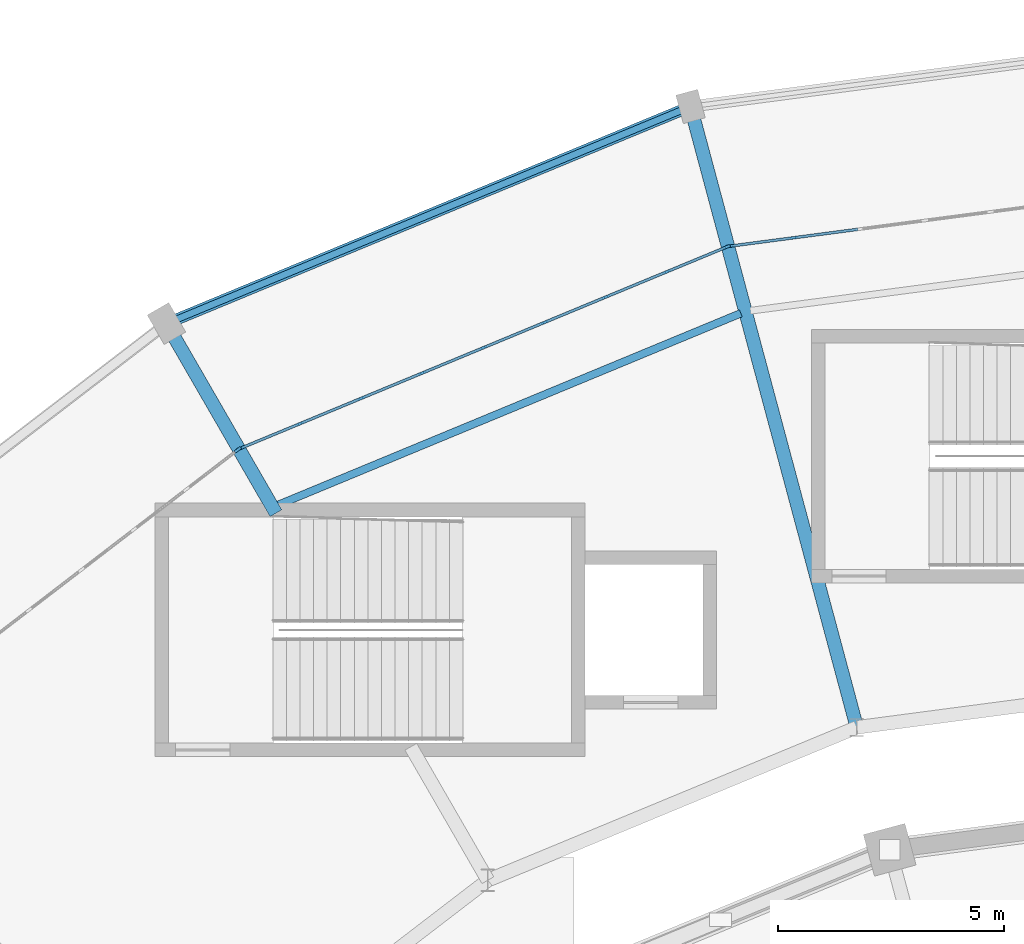
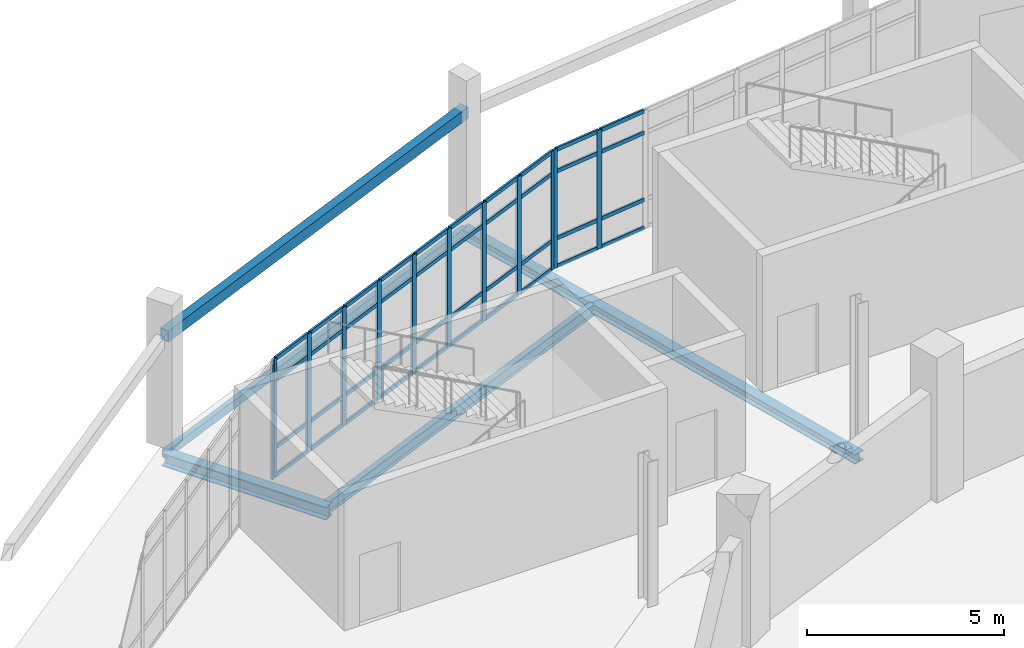
# One storey, part 57 of 122: 52 members, 5 beams, 3 elements without a shape of their own.
"""IFC4 building model written with IfcOpenShell, lengths in metres."""

from ifc_helpers import new_model, si_unit, direction, frame, origin, origin_2d, place, context, subcontext, project, spatial, rectangle, hollow_rectangle, i_section, extrude, material, layer, layer_set, material_profile, profile_set, type_object, element, aggregate, save


model = new_model("IFC4")

# Units and contexts
model_context = context("Model", 3, precision=1e-05, world=origin(), true_north=direction((0.0, 1.0)))
body_context = subcontext(model_context, "Body", "Model", "MODEL_VIEW")
ifc_project = project(units=[si_unit("LENGTHUNIT", "METRE"), si_unit("AREAUNIT", "SQUARE_METRE"), si_unit("VOLUMEUNIT", "CUBIC_METRE"), si_unit("PLANEANGLEUNIT", "RADIAN"), si_unit("MASSUNIT", "GRAM", prefix="KILO")], contexts=[model_context])

# Site, building, storey
site_placement = place(None, origin())
site = spatial("IfcSite", under=ifc_project, at=site_placement, CompositionType="ELEMENT")
building_placement = place(site_placement, origin())
building = spatial("IfcBuilding", under=site, at=building_placement, Name="Sohan Crest Arena", CompositionType="ELEMENT")
storey_placement = place(building_placement, origin())
storey = spatial("IfcBuildingStorey", under=building, at=storey_placement, Name="L00", CompositionType="ELEMENT", Elevation=0.0)

# Curtain wall, members
ifc_material_1 = material(Name="Thermally broken anodised aluminium", Category="aluminium")
ifc_layer = layer(ifc_material_1, 0.179931640625, Name="Thermally broken anodised aluminium")
ifc_layer_set = layer_set([ifc_layer], Name="Thermally broken anodised aluminium")
curtain_wall_type = type_object("IfcCurtainWallType", Name="ARC-CW01", PredefinedType="NOTDEFINED", material=ifc_layer_set)
curtain_wall_1_placement = place(storey_placement, origin())
curtain_wall_1 = element("IfcCurtainWall", 1, at=curtain_wall_1_placement, inside=storey, type_object=curtain_wall_type, Name="Unitised curtain wall CW-001", PredefinedType="NOTDEFINED")
ifc_material_profile_1 = material_profile(ifc_material_1, rectangle(XDim=0.06005859375, YDim=0.159912109375, at=origin_2d()), Name="ALU-MULL 60x160")
ifc_profile_set_1 = profile_set([ifc_material_profile_1], Name="Thermally broken anodised aluminium")
member_type_1 = type_object("IfcMemberType", Name="ARC-CW-ML01", PredefinedType="MULLION", material=ifc_profile_set_1)
member_1_placement = place(storey_placement, frame((87.8544921875, 121.4638671875, 0.0), z_axis=(0.0, 0.0, 1.0), x_axis=(0.13056731648, -0.991439446395, 0.0)))
member_1 = element("IfcMember", 2, at=member_1_placement, type_object=member_type_1, Name="CW-001 mullion 8", PredefinedType="MULLION", context=body_context, shape_type="SweptSolid", body=[
    extrude(rectangle(XDim=0.06005859375, YDim=0.159912109375, at=origin_2d()), origin(), (0.0, 0.0, 1.0), 3.679931640625),
])
member_2_placement = place(storey_placement, frame((86.434814453125, 121.27685546875, 0.0), z_axis=(0.0, 0.0, 1.0), x_axis=(0.13056731648, -0.991439446395, 0.0)))
member_2 = element("IfcMember", 3, at=member_2_placement, type_object=member_type_1, Name="CW-001 mullion 9", PredefinedType="MULLION", context=body_context, shape_type="SweptSolid", body=[
    extrude(rectangle(XDim=0.06005859375, YDim=0.159912109375, at=origin_2d()), origin(), (0.0, 0.0, 1.0), 3.679931640625),
])

curtain_wall_2_placement = place(storey_placement, origin())
curtain_wall_2 = element("IfcCurtainWall", 4, at=curtain_wall_2_placement, inside=storey, type_object=curtain_wall_type, Name="Unitised curtain wall CW-002", PredefinedType="NOTDEFINED")
member_3_placement = place(storey_placement, frame((86.377197265625, 121.261474609375, 0.0), z_axis=(0.0, 0.0, 1.0), x_axis=(0.38264128051, -0.923896991255, 0.0)))
member_3 = element("IfcMember", 5, at=member_3_placement, type_object=member_type_1, Name="CW-002 mullion 1", PredefinedType="MULLION", context=body_context, shape_type="SweptSolid", body=[
    extrude(rectangle(XDim=0.06005859375, YDim=0.159912109375, at=origin_2d()), origin(), (0.0, 0.0, 1.0), 3.679931640625),
])
member_4_placement = place(storey_placement, frame((85.054443359375, 120.713623046875, 0.0), z_axis=(0.0, 0.0, 1.0), x_axis=(0.38264128051, -0.923896991255, 0.0)))
member_4 = element("IfcMember", 6, at=member_4_placement, type_object=member_type_1, Name="CW-002 mullion 2", PredefinedType="MULLION", context=body_context, shape_type="SweptSolid", body=[
    extrude(rectangle(XDim=0.06005859375, YDim=0.159912109375, at=origin_2d()), origin(), (0.0, 0.0, 1.0), 3.679931640625),
])
member_5_placement = place(storey_placement, frame((83.703857421875, 120.154296875, 0.0), z_axis=(0.0, 0.0, 1.0), x_axis=(0.38264128051, -0.923896991255, 0.0)))
member_5 = element("IfcMember", 7, at=member_5_placement, type_object=member_type_1, Name="CW-002 mullion 3", PredefinedType="MULLION", context=body_context, shape_type="SweptSolid", body=[
    extrude(rectangle(XDim=0.06005859375, YDim=0.159912109375, at=origin_2d()), origin(), (0.0, 0.0, 1.0), 3.679931640625),
])
member_6_placement = place(storey_placement, frame((82.35302734375, 119.594970703125, 0.0), z_axis=(0.0, 0.0, 1.0), x_axis=(0.38264128051, -0.923896991255, 0.0)))
member_6 = element("IfcMember", 8, at=member_6_placement, type_object=member_type_1, Name="CW-002 mullion 4", PredefinedType="MULLION", context=body_context, shape_type="SweptSolid", body=[
    extrude(rectangle(XDim=0.06005859375, YDim=0.159912109375, at=origin_2d()), origin(), (0.0, 0.0, 1.0), 3.679931640625),
])
member_7_placement = place(storey_placement, frame((81.00244140625, 119.035400390625, 0.0), z_axis=(0.0, 0.0, 1.0), x_axis=(0.38264128051, -0.923896991255, 0.0)))
member_7 = element("IfcMember", 9, at=member_7_placement, type_object=member_type_1, Name="CW-002 mullion 5", PredefinedType="MULLION", context=body_context, shape_type="SweptSolid", body=[
    extrude(rectangle(XDim=0.06005859375, YDim=0.159912109375, at=origin_2d()), origin(), (0.0, 0.0, 1.0), 3.679931640625),
])
member_8_placement = place(storey_placement, frame((79.65185546875, 118.47607421875, 0.0), z_axis=(0.0, 0.0, 1.0), x_axis=(0.38264128051, -0.923896991255, 0.0)))
member_8 = element("IfcMember", 10, at=member_8_placement, type_object=member_type_1, Name="CW-002 mullion 6", PredefinedType="MULLION", context=body_context, shape_type="SweptSolid", body=[
    extrude(rectangle(XDim=0.06005859375, YDim=0.159912109375, at=origin_2d()), origin(), (0.0, 0.0, 1.0), 3.679931640625),
])
member_9_placement = place(storey_placement, frame((78.30126953125, 117.916748046875, 0.0), z_axis=(0.0, 0.0, 1.0), x_axis=(0.38264128051, -0.923896991255, 0.0)))
member_9 = element("IfcMember", 11, at=member_9_placement, type_object=member_type_1, Name="CW-002 mullion 7", PredefinedType="MULLION", context=body_context, shape_type="SweptSolid", body=[
    extrude(rectangle(XDim=0.06005859375, YDim=0.159912109375, at=origin_2d()), origin(), (0.0, 0.0, 1.0), 3.679931640625),
])
member_10_placement = place(storey_placement, frame((76.95068359375, 117.357421875, 0.0), z_axis=(0.0, 0.0, 1.0), x_axis=(0.38264128051, -0.923896991255, 0.0)))
member_10 = element("IfcMember", 12, at=member_10_placement, type_object=member_type_1, Name="CW-002 mullion 8", PredefinedType="MULLION", context=body_context, shape_type="SweptSolid", body=[
    extrude(rectangle(XDim=0.06005859375, YDim=0.159912109375, at=origin_2d()), origin(), (0.0, 0.0, 1.0), 3.679931640625),
])
member_11_placement = place(storey_placement, frame((75.627685546875, 116.8095703125, 0.0), z_axis=(0.0, 0.0, 1.0), x_axis=(0.38264128051, -0.923896991255, 0.0)))
member_11 = element("IfcMember", 13, at=member_11_placement, type_object=member_type_1, Name="CW-002 mullion 9", PredefinedType="MULLION", context=body_context, shape_type="SweptSolid", body=[
    extrude(rectangle(XDim=0.06005859375, YDim=0.159912109375, at=origin_2d()), origin(), (0.0, 0.0, 1.0), 3.679931640625),
])

# Curtain wall, member
curtain_wall_3_placement = place(storey_placement, origin())
curtain_wall_3 = element("IfcCurtainWall", 14, at=curtain_wall_3_placement, inside=storey, type_object=curtain_wall_type, Name="Unitised curtain wall CW-003", PredefinedType="NOTDEFINED")
member_12_placement = place(storey_placement, frame((75.576171875, 116.77978515625, 0.0), z_axis=(0.0, 0.0, 1.0), x_axis=(0.608801264741, -0.79332277167, 0.0)))
member_12 = element("IfcMember", 15, at=member_12_placement, type_object=member_type_1, Name="CW-003 mullion 1", PredefinedType="MULLION", context=body_context, shape_type="SweptSolid", body=[
    extrude(rectangle(XDim=0.06005859375, YDim=0.159912109375, at=origin_2d()), origin(), (0.0, 0.0, 1.0), 3.679931640625),
])
aggregate(curtain_wall_3, [member_12])

# Member
ifc_material_profile_2 = material_profile(ifc_material_1, rectangle(XDim=0.06005859375, YDim=0.1201171875, at=origin_2d()), Name="ALU-TRAN 60x120")
ifc_profile_set_2 = profile_set([ifc_material_profile_2], Name="Thermally broken anodised aluminium")
member_type_2 = type_object("IfcMemberType", Name="ARC-CW-TR01", PredefinedType="USERDEFINED", material=ifc_profile_set_2)
member_13_placement = place(storey_placement, frame((89.27392578125, 121.65087890625, 0.030029296875), z_axis=(-0.9914335368, -0.130612182083, 0.0), x_axis=(0.130612182083, -0.9914335368, 0.0)))
member_13 = element("IfcMember", 16, at=member_13_placement, type_object=member_type_2, Name="CW-001 transom 7.1", ObjectType="TRANSOM", PredefinedType="USERDEFINED", context=body_context, shape_type="SweptSolid", body=[
    extrude(rectangle(XDim=0.06005859375, YDim=0.1201171875, at=origin_2d()), origin(), (0.0, 0.0, 1.0), 1.40185546875),
])

member_14_placement = place(storey_placement, frame((89.27392578125, 121.65087890625, 0.89990234375), z_axis=(-0.9914335368, -0.130612182083, 0.0), x_axis=(0.130612182083, -0.9914335368, 0.0)))
member_14 = element("IfcMember", 17, at=member_14_placement, type_object=member_type_2, Name="CW-001 transom 7.2", ObjectType="TRANSOM", PredefinedType="USERDEFINED", context=body_context, shape_type="SweptSolid", body=[
    extrude(rectangle(XDim=0.06005859375, YDim=0.1201171875, at=origin_2d()), origin(), (0.0, 0.0, 1.0), 1.40185546875),
])

member_15_placement = place(storey_placement, frame((89.27392578125, 121.65087890625, 2.97998046875), z_axis=(-0.9914335368, -0.130612182083, 0.0), x_axis=(0.130612182083, -0.9914335368, 0.0)))
member_15 = element("IfcMember", 18, at=member_15_placement, type_object=member_type_2, Name="CW-001 transom 7.3", ObjectType="TRANSOM", PredefinedType="USERDEFINED", context=body_context, shape_type="SweptSolid", body=[
    extrude(rectangle(XDim=0.06005859375, YDim=0.1201171875, at=origin_2d()), origin(), (0.0, 0.0, 1.0), 1.40185546875),
])

member_16_placement = place(storey_placement, frame((89.27392578125, 121.65087890625, 3.64990234375), z_axis=(-0.9914335368, -0.130612182083, 0.0), x_axis=(0.130612182083, -0.9914335368, 0.0)))
member_16 = element("IfcMember", 19, at=member_16_placement, type_object=member_type_2, Name="CW-001 transom 7.4", ObjectType="TRANSOM", PredefinedType="USERDEFINED", context=body_context, shape_type="SweptSolid", body=[
    extrude(rectangle(XDim=0.06005859375, YDim=0.1201171875, at=origin_2d()), origin(), (0.0, 0.0, 1.0), 1.40185546875),
])

member_17_placement = place(storey_placement, frame((87.82470703125, 121.4599609375, 0.030029296875), z_axis=(-0.991431868961, -0.130624841468, 0.0), x_axis=(0.130624841468, -0.991431868961, 0.0)))
member_17 = element("IfcMember", 20, at=member_17_placement, type_object=member_type_2, Name="CW-001 transom 8.1", ObjectType="TRANSOM", PredefinedType="USERDEFINED", context=body_context, shape_type="SweptSolid", body=[
    extrude(rectangle(XDim=0.06005859375, YDim=0.1201171875, at=origin_2d()), origin(), (0.0, 0.0, 1.0), 1.371826171875),
])

member_18_placement = place(storey_placement, frame((87.82470703125, 121.4599609375, 0.89990234375), z_axis=(-0.991431868961, -0.130624841468, 0.0), x_axis=(0.130624841468, -0.991431868961, 0.0)))
member_18 = element("IfcMember", 21, at=member_18_placement, type_object=member_type_2, Name="CW-001 transom 8.2", ObjectType="TRANSOM", PredefinedType="USERDEFINED", context=body_context, shape_type="SweptSolid", body=[
    extrude(rectangle(XDim=0.06005859375, YDim=0.1201171875, at=origin_2d()), origin(), (0.0, 0.0, 1.0), 1.371826171875),
])

member_19_placement = place(storey_placement, frame((87.82470703125, 121.4599609375, 2.97998046875), z_axis=(-0.991431868961, -0.130624841468, 0.0), x_axis=(0.130624841468, -0.991431868961, 0.0)))
member_19 = element("IfcMember", 22, at=member_19_placement, type_object=member_type_2, Name="CW-001 transom 8.3", ObjectType="TRANSOM", PredefinedType="USERDEFINED", context=body_context, shape_type="SweptSolid", body=[
    extrude(rectangle(XDim=0.06005859375, YDim=0.1201171875, at=origin_2d()), origin(), (0.0, 0.0, 1.0), 1.371826171875),
])

member_20_placement = place(storey_placement, frame((87.82470703125, 121.4599609375, 3.64990234375), z_axis=(-0.991431868961, -0.130624841468, 0.0), x_axis=(0.130624841468, -0.991431868961, 0.0)))
member_20 = element("IfcMember", 23, at=member_20_placement, type_object=member_type_2, Name="CW-001 transom 8.4", ObjectType="TRANSOM", PredefinedType="USERDEFINED", context=body_context, shape_type="SweptSolid", body=[
    extrude(rectangle(XDim=0.06005859375, YDim=0.1201171875, at=origin_2d()), origin(), (0.0, 0.0, 1.0), 1.371826171875),
])

aggregate(curtain_wall_1, [member_1, member_2, member_13, member_14, member_15, member_16, member_17, member_18, member_19, member_20])

member_21_placement = place(storey_placement, frame((86.349609375, 121.25, 0.030029296875), z_axis=(-0.923917076656, -0.382592780202, 0.0), x_axis=(0.382592780202, -0.923917076656, 0.0)))
member_21 = element("IfcMember", 24, at=member_21_placement, type_object=member_type_2, Name="CW-002 transom 1.1", ObjectType="TRANSOM", PredefinedType="USERDEFINED", context=body_context, shape_type="SweptSolid", body=[
    extrude(rectangle(XDim=0.06005859375, YDim=0.1201171875, at=origin_2d()), origin(), (0.0, 0.0, 1.0), 1.3720703125),
])

member_22_placement = place(storey_placement, frame((86.349609375, 121.25, 0.89990234375), z_axis=(-0.923917076656, -0.382592780202, 0.0), x_axis=(0.382592780202, -0.923917076656, 0.0)))
member_22 = element("IfcMember", 25, at=member_22_placement, type_object=member_type_2, Name="CW-002 transom 1.2", ObjectType="TRANSOM", PredefinedType="USERDEFINED", context=body_context, shape_type="SweptSolid", body=[
    extrude(rectangle(XDim=0.06005859375, YDim=0.1201171875, at=origin_2d()), origin(), (0.0, 0.0, 1.0), 1.3720703125),
])

member_23_placement = place(storey_placement, frame((86.349609375, 121.25, 2.97998046875), z_axis=(-0.923917076656, -0.382592780202, 0.0), x_axis=(0.382592780202, -0.923917076656, 0.0)))
member_23 = element("IfcMember", 26, at=member_23_placement, type_object=member_type_2, Name="CW-002 transom 1.3", ObjectType="TRANSOM", PredefinedType="USERDEFINED", context=body_context, shape_type="SweptSolid", body=[
    extrude(rectangle(XDim=0.06005859375, YDim=0.1201171875, at=origin_2d()), origin(), (0.0, 0.0, 1.0), 1.3720703125),
])

member_24_placement = place(storey_placement, frame((86.349609375, 121.25, 3.64990234375), z_axis=(-0.923917076656, -0.382592780202, 0.0), x_axis=(0.382592780202, -0.923917076656, 0.0)))
member_24 = element("IfcMember", 27, at=member_24_placement, type_object=member_type_2, Name="CW-002 transom 1.4", ObjectType="TRANSOM", PredefinedType="USERDEFINED", context=body_context, shape_type="SweptSolid", body=[
    extrude(rectangle(XDim=0.06005859375, YDim=0.1201171875, at=origin_2d()), origin(), (0.0, 0.0, 1.0), 1.3720703125),
])

member_25_placement = place(storey_placement, frame((85.026611328125, 120.7021484375, 0.030029296875), z_axis=(-0.923904341671, -0.382623532262, 0.0), x_axis=(0.382623532262, -0.923904341671, 0.0)))
member_25 = element("IfcMember", 28, at=member_25_placement, type_object=member_type_2, Name="CW-002 transom 2.1", ObjectType="TRANSOM", PredefinedType="USERDEFINED", context=body_context, shape_type="SweptSolid", body=[
    extrude(rectangle(XDim=0.06005859375, YDim=0.1201171875, at=origin_2d()), origin(), (0.0, 0.0, 1.0), 1.40185546875),
])

member_26_placement = place(storey_placement, frame((85.026611328125, 120.7021484375, 0.89990234375), z_axis=(-0.923904341671, -0.382623532262, 0.0), x_axis=(0.382623532262, -0.923904341671, 0.0)))
member_26 = element("IfcMember", 29, at=member_26_placement, type_object=member_type_2, Name="CW-002 transom 2.2", ObjectType="TRANSOM", PredefinedType="USERDEFINED", context=body_context, shape_type="SweptSolid", body=[
    extrude(rectangle(XDim=0.06005859375, YDim=0.1201171875, at=origin_2d()), origin(), (0.0, 0.0, 1.0), 1.40185546875),
])

member_27_placement = place(storey_placement, frame((85.026611328125, 120.7021484375, 2.97998046875), z_axis=(-0.923904341671, -0.382623532262, 0.0), x_axis=(0.382623532262, -0.923904341671, 0.0)))
member_27 = element("IfcMember", 30, at=member_27_placement, type_object=member_type_2, Name="CW-002 transom 2.3", ObjectType="TRANSOM", PredefinedType="USERDEFINED", context=body_context, shape_type="SweptSolid", body=[
    extrude(rectangle(XDim=0.06005859375, YDim=0.1201171875, at=origin_2d()), origin(), (0.0, 0.0, 1.0), 1.40185546875),
])

member_28_placement = place(storey_placement, frame((85.026611328125, 120.7021484375, 3.64990234375), z_axis=(-0.923904341671, -0.382623532262, 0.0), x_axis=(0.382623532262, -0.923904341671, 0.0)))
member_28 = element("IfcMember", 31, at=member_28_placement, type_object=member_type_2, Name="CW-002 transom 2.4", ObjectType="TRANSOM", PredefinedType="USERDEFINED", context=body_context, shape_type="SweptSolid", body=[
    extrude(rectangle(XDim=0.06005859375, YDim=0.1201171875, at=origin_2d()), origin(), (0.0, 0.0, 1.0), 1.40185546875),
])

member_29_placement = place(storey_placement, frame((83.676025390625, 120.142822265625, 0.030029296875), z_axis=(-0.923904341671, -0.382623532262, 0.0), x_axis=(0.382623532262, -0.923904341671, 0.0)))
member_29 = element("IfcMember", 32, at=member_29_placement, type_object=member_type_2, Name="CW-002 transom 3.1", ObjectType="TRANSOM", PredefinedType="USERDEFINED", context=body_context, shape_type="SweptSolid", body=[
    extrude(rectangle(XDim=0.06005859375, YDim=0.1201171875, at=origin_2d()), origin(), (0.0, 0.0, 1.0), 1.40185546875),
])

member_30_placement = place(storey_placement, frame((83.676025390625, 120.142822265625, 0.89990234375), z_axis=(-0.923904341671, -0.382623532262, 0.0), x_axis=(0.382623532262, -0.923904341671, 0.0)))
member_30 = element("IfcMember", 33, at=member_30_placement, type_object=member_type_2, Name="CW-002 transom 3.2", ObjectType="TRANSOM", PredefinedType="USERDEFINED", context=body_context, shape_type="SweptSolid", body=[
    extrude(rectangle(XDim=0.06005859375, YDim=0.1201171875, at=origin_2d()), origin(), (0.0, 0.0, 1.0), 1.40185546875),
])

member_31_placement = place(storey_placement, frame((83.676025390625, 120.142822265625, 2.97998046875), z_axis=(-0.923904341671, -0.382623532262, 0.0), x_axis=(0.382623532262, -0.923904341671, 0.0)))
member_31 = element("IfcMember", 34, at=member_31_placement, type_object=member_type_2, Name="CW-002 transom 3.3", ObjectType="TRANSOM", PredefinedType="USERDEFINED", context=body_context, shape_type="SweptSolid", body=[
    extrude(rectangle(XDim=0.06005859375, YDim=0.1201171875, at=origin_2d()), origin(), (0.0, 0.0, 1.0), 1.40185546875),
])

member_32_placement = place(storey_placement, frame((83.676025390625, 120.142822265625, 3.64990234375), z_axis=(-0.923904341671, -0.382623532262, 0.0), x_axis=(0.382623532262, -0.923904341671, 0.0)))
member_32 = element("IfcMember", 35, at=member_32_placement, type_object=member_type_2, Name="CW-002 transom 3.4", ObjectType="TRANSOM", PredefinedType="USERDEFINED", context=body_context, shape_type="SweptSolid", body=[
    extrude(rectangle(XDim=0.06005859375, YDim=0.1201171875, at=origin_2d()), origin(), (0.0, 0.0, 1.0), 1.40185546875),
])

member_33_placement = place(storey_placement, frame((82.325439453125, 119.58349609375, 0.030029296875), z_axis=(-0.923842767906, -0.382772177918, 0.0), x_axis=(0.382772177918, -0.923842767906, 0.0)))
member_33 = element("IfcMember", 36, at=member_33_placement, type_object=member_type_2, Name="CW-002 transom 4.1", ObjectType="TRANSOM", PredefinedType="USERDEFINED", context=body_context, shape_type="SweptSolid", body=[
    extrude(rectangle(XDim=0.06005859375, YDim=0.1201171875, at=origin_2d()), origin(), (0.0, 0.0, 1.0), 1.40185546875),
])

member_34_placement = place(storey_placement, frame((82.325439453125, 119.58349609375, 0.89990234375), z_axis=(-0.923842767906, -0.382772177918, 0.0), x_axis=(0.382772177918, -0.923842767906, 0.0)))
member_34 = element("IfcMember", 37, at=member_34_placement, type_object=member_type_2, Name="CW-002 transom 4.2", ObjectType="TRANSOM", PredefinedType="USERDEFINED", context=body_context, shape_type="SweptSolid", body=[
    extrude(rectangle(XDim=0.06005859375, YDim=0.1201171875, at=origin_2d()), origin(), (0.0, 0.0, 1.0), 1.40185546875),
])

member_35_placement = place(storey_placement, frame((82.325439453125, 119.58349609375, 2.97998046875), z_axis=(-0.923842767906, -0.382772177918, 0.0), x_axis=(0.382772177918, -0.923842767906, 0.0)))
member_35 = element("IfcMember", 38, at=member_35_placement, type_object=member_type_2, Name="CW-002 transom 4.3", ObjectType="TRANSOM", PredefinedType="USERDEFINED", context=body_context, shape_type="SweptSolid", body=[
    extrude(rectangle(XDim=0.06005859375, YDim=0.1201171875, at=origin_2d()), origin(), (0.0, 0.0, 1.0), 1.40185546875),
])

member_36_placement = place(storey_placement, frame((82.325439453125, 119.58349609375, 3.64990234375), z_axis=(-0.923842767906, -0.382772177918, 0.0), x_axis=(0.382772177918, -0.923842767906, 0.0)))
member_36 = element("IfcMember", 39, at=member_36_placement, type_object=member_type_2, Name="CW-002 transom 4.4", ObjectType="TRANSOM", PredefinedType="USERDEFINED", context=body_context, shape_type="SweptSolid", body=[
    extrude(rectangle(XDim=0.06005859375, YDim=0.1201171875, at=origin_2d()), origin(), (0.0, 0.0, 1.0), 1.40185546875),
])

member_37_placement = place(storey_placement, frame((80.974853515625, 119.02392578125, 0.030029296875), z_axis=(-0.923904341671, -0.382623532262, 0.0), x_axis=(0.382623532262, -0.923904341671, 0.0)))
member_37 = element("IfcMember", 40, at=member_37_placement, type_object=member_type_2, Name="CW-002 transom 5.1", ObjectType="TRANSOM", PredefinedType="USERDEFINED", context=body_context, shape_type="SweptSolid", body=[
    extrude(rectangle(XDim=0.06005859375, YDim=0.1201171875, at=origin_2d()), origin(), (0.0, 0.0, 1.0), 1.40185546875),
])

member_38_placement = place(storey_placement, frame((80.974853515625, 119.02392578125, 0.89990234375), z_axis=(-0.923904341671, -0.382623532262, 0.0), x_axis=(0.382623532262, -0.923904341671, 0.0)))
member_38 = element("IfcMember", 41, at=member_38_placement, type_object=member_type_2, Name="CW-002 transom 5.2", ObjectType="TRANSOM", PredefinedType="USERDEFINED", context=body_context, shape_type="SweptSolid", body=[
    extrude(rectangle(XDim=0.06005859375, YDim=0.1201171875, at=origin_2d()), origin(), (0.0, 0.0, 1.0), 1.40185546875),
])

member_39_placement = place(storey_placement, frame((80.974853515625, 119.02392578125, 2.97998046875), z_axis=(-0.923904341671, -0.382623532262, 0.0), x_axis=(0.382623532262, -0.923904341671, 0.0)))
member_39 = element("IfcMember", 42, at=member_39_placement, type_object=member_type_2, Name="CW-002 transom 5.3", ObjectType="TRANSOM", PredefinedType="USERDEFINED", context=body_context, shape_type="SweptSolid", body=[
    extrude(rectangle(XDim=0.06005859375, YDim=0.1201171875, at=origin_2d()), origin(), (0.0, 0.0, 1.0), 1.40185546875),
])

member_40_placement = place(storey_placement, frame((80.974853515625, 119.02392578125, 3.64990234375), z_axis=(-0.923904341671, -0.382623532262, 0.0), x_axis=(0.382623532262, -0.923904341671, 0.0)))
member_40 = element("IfcMember", 43, at=member_40_placement, type_object=member_type_2, Name="CW-002 transom 5.4", ObjectType="TRANSOM", PredefinedType="USERDEFINED", context=body_context, shape_type="SweptSolid", body=[
    extrude(rectangle(XDim=0.06005859375, YDim=0.1201171875, at=origin_2d()), origin(), (0.0, 0.0, 1.0), 1.40185546875),
])

member_41_placement = place(storey_placement, frame((79.624267578125, 118.464599609375, 0.030029296875), z_axis=(-0.923929832277, -0.382561975408, 0.0), x_axis=(0.382561975408, -0.923929832277, 0.0)))
member_41 = element("IfcMember", 44, at=member_41_placement, type_object=member_type_2, Name="CW-002 transom 6.1", ObjectType="TRANSOM", PredefinedType="USERDEFINED", context=body_context, shape_type="SweptSolid", body=[
    extrude(rectangle(XDim=0.06005859375, YDim=0.1201171875, at=origin_2d()), origin(), (0.0, 0.0, 1.0), 1.402099609375),
])

member_42_placement = place(storey_placement, frame((79.624267578125, 118.464599609375, 0.89990234375), z_axis=(-0.923929832277, -0.382561975408, 0.0), x_axis=(0.382561975408, -0.923929832277, 0.0)))
member_42 = element("IfcMember", 45, at=member_42_placement, type_object=member_type_2, Name="CW-002 transom 6.2", ObjectType="TRANSOM", PredefinedType="USERDEFINED", context=body_context, shape_type="SweptSolid", body=[
    extrude(rectangle(XDim=0.06005859375, YDim=0.1201171875, at=origin_2d()), origin(), (0.0, 0.0, 1.0), 1.402099609375),
])

member_43_placement = place(storey_placement, frame((79.624267578125, 118.464599609375, 2.97998046875), z_axis=(-0.923929832277, -0.382561975408, 0.0), x_axis=(0.382561975408, -0.923929832277, 0.0)))
member_43 = element("IfcMember", 46, at=member_43_placement, type_object=member_type_2, Name="CW-002 transom 6.3", ObjectType="TRANSOM", PredefinedType="USERDEFINED", context=body_context, shape_type="SweptSolid", body=[
    extrude(rectangle(XDim=0.06005859375, YDim=0.1201171875, at=origin_2d()), origin(), (0.0, 0.0, 1.0), 1.402099609375),
])

member_44_placement = place(storey_placement, frame((79.624267578125, 118.464599609375, 3.64990234375), z_axis=(-0.923929832277, -0.382561975408, 0.0), x_axis=(0.382561975408, -0.923929832277, 0.0)))
member_44 = element("IfcMember", 47, at=member_44_placement, type_object=member_type_2, Name="CW-002 transom 6.4", ObjectType="TRANSOM", PredefinedType="USERDEFINED", context=body_context, shape_type="SweptSolid", body=[
    extrude(rectangle(XDim=0.06005859375, YDim=0.1201171875, at=origin_2d()), origin(), (0.0, 0.0, 1.0), 1.402099609375),
])

member_45_placement = place(storey_placement, frame((78.2734375, 117.9052734375, 0.030029296875), z_axis=(-0.923904341671, -0.382623532262, 0.0), x_axis=(0.382623532262, -0.923904341671, 0.0)))
member_45 = element("IfcMember", 48, at=member_45_placement, type_object=member_type_2, Name="CW-002 transom 7.1", ObjectType="TRANSOM", PredefinedType="USERDEFINED", context=body_context, shape_type="SweptSolid", body=[
    extrude(rectangle(XDim=0.06005859375, YDim=0.1201171875, at=origin_2d()), origin(), (0.0, 0.0, 1.0), 1.40185546875),
])

member_46_placement = place(storey_placement, frame((78.2734375, 117.9052734375, 0.89990234375), z_axis=(-0.923904341671, -0.382623532262, 0.0), x_axis=(0.382623532262, -0.923904341671, 0.0)))
member_46 = element("IfcMember", 49, at=member_46_placement, type_object=member_type_2, Name="CW-002 transom 7.2", ObjectType="TRANSOM", PredefinedType="USERDEFINED", context=body_context, shape_type="SweptSolid", body=[
    extrude(rectangle(XDim=0.06005859375, YDim=0.1201171875, at=origin_2d()), origin(), (0.0, 0.0, 1.0), 1.40185546875),
])

member_47_placement = place(storey_placement, frame((78.2734375, 117.9052734375, 2.97998046875), z_axis=(-0.923904341671, -0.382623532262, 0.0), x_axis=(0.382623532262, -0.923904341671, 0.0)))
member_47 = element("IfcMember", 50, at=member_47_placement, type_object=member_type_2, Name="CW-002 transom 7.3", ObjectType="TRANSOM", PredefinedType="USERDEFINED", context=body_context, shape_type="SweptSolid", body=[
    extrude(rectangle(XDim=0.06005859375, YDim=0.1201171875, at=origin_2d()), origin(), (0.0, 0.0, 1.0), 1.40185546875),
])

member_48_placement = place(storey_placement, frame((78.2734375, 117.9052734375, 3.64990234375), z_axis=(-0.923904341671, -0.382623532262, 0.0), x_axis=(0.382623532262, -0.923904341671, 0.0)))
member_48 = element("IfcMember", 51, at=member_48_placement, type_object=member_type_2, Name="CW-002 transom 7.4", ObjectType="TRANSOM", PredefinedType="USERDEFINED", context=body_context, shape_type="SweptSolid", body=[
    extrude(rectangle(XDim=0.06005859375, YDim=0.1201171875, at=origin_2d()), origin(), (0.0, 0.0, 1.0), 1.40185546875),
])

member_49_placement = place(storey_placement, frame((76.9228515625, 117.345947265625, 0.030029296875), z_axis=(-0.923891022383, -0.382655692183, 0.0), x_axis=(0.382655692183, -0.923891022383, 0.0)))
member_49 = element("IfcMember", 52, at=member_49_placement, type_object=member_type_2, Name="CW-002 transom 8.1", ObjectType="TRANSOM", PredefinedType="USERDEFINED", context=body_context, shape_type="SweptSolid", body=[
    extrude(rectangle(XDim=0.06005859375, YDim=0.1201171875, at=origin_2d()), origin(), (0.0, 0.0, 1.0), 1.371826171875),
])

member_50_placement = place(storey_placement, frame((76.9228515625, 117.345947265625, 0.89990234375), z_axis=(-0.923891022383, -0.382655692183, 0.0), x_axis=(0.382655692183, -0.923891022383, 0.0)))
member_50 = element("IfcMember", 53, at=member_50_placement, type_object=member_type_2, Name="CW-002 transom 8.2", ObjectType="TRANSOM", PredefinedType="USERDEFINED", context=body_context, shape_type="SweptSolid", body=[
    extrude(rectangle(XDim=0.06005859375, YDim=0.1201171875, at=origin_2d()), origin(), (0.0, 0.0, 1.0), 1.371826171875),
])

member_51_placement = place(storey_placement, frame((76.9228515625, 117.345947265625, 2.97998046875), z_axis=(-0.923891022383, -0.382655692183, 0.0), x_axis=(0.382655692183, -0.923891022383, 0.0)))
member_51 = element("IfcMember", 54, at=member_51_placement, type_object=member_type_2, Name="CW-002 transom 8.3", ObjectType="TRANSOM", PredefinedType="USERDEFINED", context=body_context, shape_type="SweptSolid", body=[
    extrude(rectangle(XDim=0.06005859375, YDim=0.1201171875, at=origin_2d()), origin(), (0.0, 0.0, 1.0), 1.371826171875),
])

member_52_placement = place(storey_placement, frame((76.9228515625, 117.345947265625, 3.64990234375), z_axis=(-0.923891022383, -0.382655692183, 0.0), x_axis=(0.382655692183, -0.923891022383, 0.0)))
member_52 = element("IfcMember", 55, at=member_52_placement, type_object=member_type_2, Name="CW-002 transom 8.4", ObjectType="TRANSOM", PredefinedType="USERDEFINED", context=body_context, shape_type="SweptSolid", body=[
    extrude(rectangle(XDim=0.06005859375, YDim=0.1201171875, at=origin_2d()), origin(), (0.0, 0.0, 1.0), 1.371826171875),
])

aggregate(curtain_wall_2, [member_3, member_4, member_5, member_6, member_7, member_8, member_9, member_10, member_11, member_21, member_22, member_23, member_24, member_25, member_26, member_27, member_28, member_29, member_30, member_31, member_32, member_33, member_34, member_35, member_36, member_37, member_38, member_39, member_40, member_41, member_42, member_43, member_44, member_45, member_46, member_47, member_48, member_49, member_50, member_51, member_52])

# Beams
ifc_material_2 = material(Name="Steel S355", Category="steel")
ifc_material_profile_3 = material_profile(ifc_material_2, i_section(OverallWidth=0.169921875, OverallDepth=0.360107421875, WebThickness=0.008056640625, FlangeThickness=0.0126953125, at=origin_2d()), Name="IPE 360")
ifc_profile_set_3 = profile_set([ifc_material_profile_3], Name="Steel S355")
beam_type_1 = type_object("IfcBeamType", Name="STR-BM-B02", PredefinedType="JOIST", material=ifc_profile_set_3)
beam_1_placement = place(storey_placement, frame((86.68798828125, 119.7958984375, -0.455078125), z_axis=(-0.923874316241, -0.382696025312, 0.0), x_axis=(0.382696025312, -0.923874316241, 0.0)))
element("IfcBeam", 56, at=beam_1_placement, inside=storey, type_object=beam_type_1, Name="Structural beam J-L00-0910", PredefinedType="JOIST", context=body_context, shape_type="SweptSolid", body=[
    extrude(i_section(OverallWidth=0.169921875, OverallDepth=0.360107421875, WebThickness=0.008056640625, FlangeThickness=0.0126953125, at=origin_2d()), origin(), (0.0, 0.0, 1.0), 11.0869140625),
])
ifc_material_profile_4 = material_profile(ifc_material_2, i_section(OverallWidth=0.300048828125, OverallDepth=0.300048828125, WebThickness=0.010986328125, FlangeThickness=0.01904296875, at=origin_2d()), Name="HEB 300")
ifc_profile_set_4 = profile_set([ifc_material_profile_4], Name="Steel S355")
beam_type_2 = type_object("IfcBeamType", Name="STR-BM-B12", PredefinedType="BEAM", material=ifc_profile_set_4)
beam_2_placement = place(storey_placement, frame((89.251953125, 110.64794921875, -0.425048828125), z_axis=(-0.258808560729, 0.965928635508, 0.0), x_axis=(-0.965928635508, -0.258808560729, 0.0)))
element("IfcBeam", 57, at=beam_2_placement, inside=storey, type_object=beam_type_2, Name="Structural beam G-L00-0906", PredefinedType="BEAM", context=body_context, shape_type="SweptSolid", body=[
    extrude(i_section(OverallWidth=0.300048828125, OverallDepth=0.300048828125, WebThickness=0.010986328125, FlangeThickness=0.01904296875, at=origin_2d()), origin(), (0.0, 0.0, 1.0), 14.199951171875),
])
ifc_material_profile_5 = material_profile(ifc_material_2, i_section(OverallWidth=0.300048828125, OverallDepth=0.39990234375, WebThickness=0.013427734375, FlangeThickness=0.02392578125, at=origin_2d()), Name="HEB 400")
ifc_profile_set_5 = profile_set([ifc_material_profile_5], Name="Steel S355")
beam_type_3 = type_object("IfcBeamType", Name="STR-BM-B13", PredefinedType="BEAM", material=ifc_profile_set_5)
beam_3_placement = place(storey_placement, frame((76.4189453125, 115.3798828125, -0.47509765625), z_axis=(-0.500047190239, 0.865998156773, 0.0), x_axis=(-0.865998156773, -0.500047190239, 0.0)))
element("IfcBeam", 58, at=beam_3_placement, inside=storey, type_object=beam_type_3, Name="Structural beam G-L00-0912", PredefinedType="BEAM", context=body_context, shape_type="SweptSolid", body=[
    extrude(i_section(OverallWidth=0.300048828125, OverallDepth=0.39990234375, WebThickness=0.013427734375, FlangeThickness=0.02392578125, at=origin_2d()), origin(), (0.0, 0.0, 1.0), 4.83740234375),
])
ifc_material_profile_6 = material_profile(ifc_material_2, hollow_rectangle(XDim=0.14990234375, YDim=0.25, WallThickness=0.010009765625, at=origin_2d()), Name="RHS 250x150x10")
ifc_profile_set_6 = profile_set([ifc_material_profile_6], Name="Steel S355")
beam_type_4 = type_object("IfcBeamType", Name="STR-BM-SP02", PredefinedType="SPANDREL", material=ifc_profile_set_6)
beam_4_placement = place(storey_placement, frame((85.576904296875, 124.364013671875, -0.39990234375), z_axis=(-0.923890504882, -0.382656941645, 0.0), x_axis=(0.382656941645, -0.923890504882, 0.0)))
element("IfcBeam", 59, at=beam_4_placement, inside=storey, type_object=beam_type_4, Name="Structural beam SP-L00-0908", PredefinedType="SPANDREL", context=body_context, shape_type="SweptSolid", body=[
    extrude(hollow_rectangle(XDim=0.14990234375, YDim=0.25, WallThickness=0.010009765625, at=origin_2d()), origin(), (0.0, 0.0, 1.0), 12.530517578125),
])
ifc_material_profile_7 = material_profile(ifc_material_2, hollow_rectangle(XDim=0.25, YDim=0.35009765625, WallThickness=0.012451171875, at=origin_2d()), Name="RHS 350x250x12.5")
ifc_profile_set_7 = profile_set([ifc_material_profile_7], Name="Steel S355")
beam_type_5 = type_object("IfcBeamType", Name="STR-BM-SP04", PredefinedType="SPANDREL", material=ifc_profile_set_7)
beam_5_placement = place(storey_placement, frame((85.576904296875, 124.364013671875, 3.300048828125), z_axis=(-0.923890504882, -0.382656941645, 0.0), x_axis=(0.382656941645, -0.923890504882, 0.0)))
element("IfcBeam", 60, at=beam_5_placement, inside=storey, type_object=beam_type_5, Name="Structural beam ARC-L00-0909", PredefinedType="SPANDREL", context=body_context, shape_type="SweptSolid", body=[
    extrude(hollow_rectangle(XDim=0.25, YDim=0.35009765625, WallThickness=0.012451171875, at=origin_2d()), origin(), (0.0, 0.0, 1.0), 12.530517578125),
])

save(model, "model.ifc")
